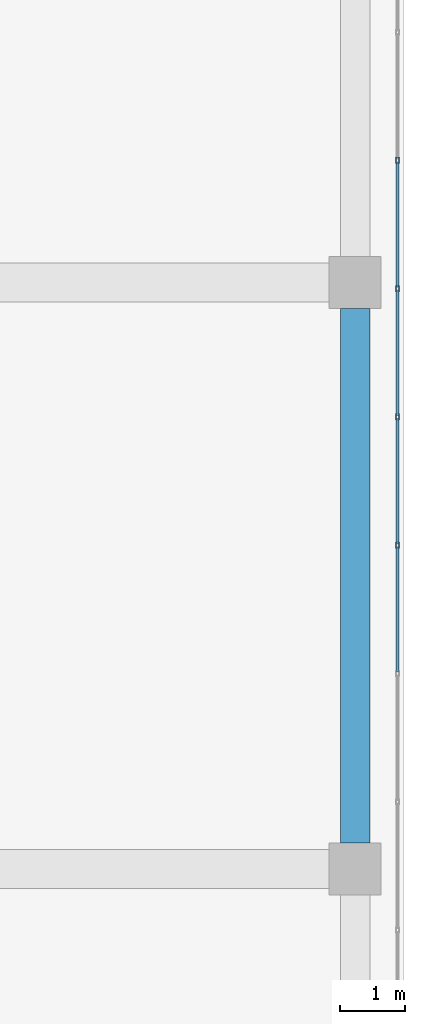
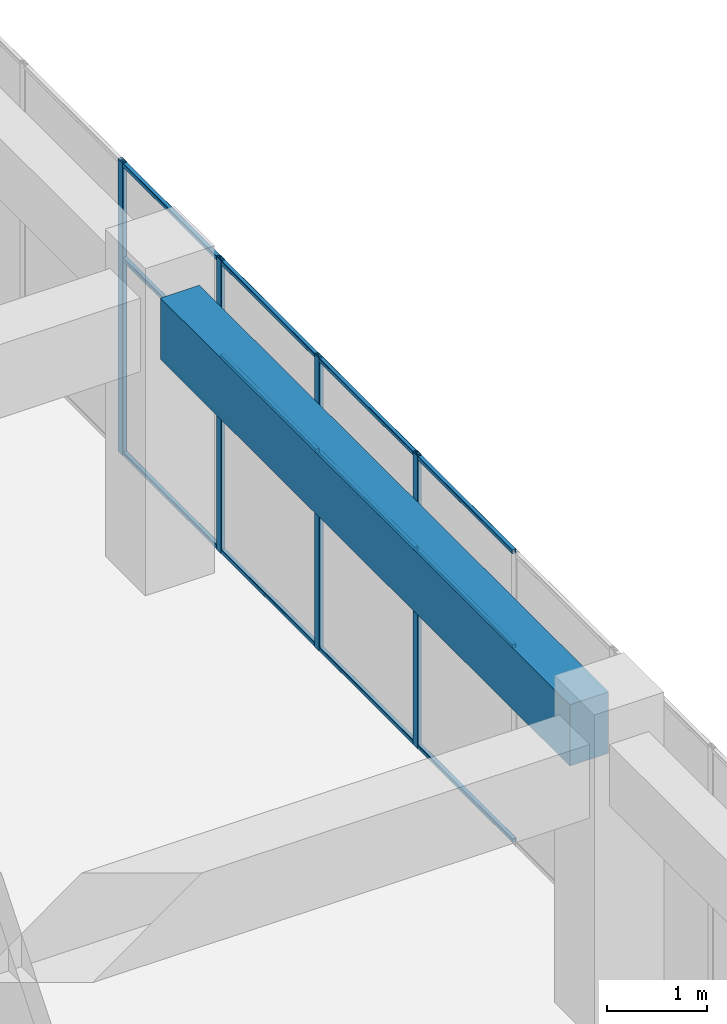
# One storey, part 29 of 52: 16 members, 1 beam, 1 element without a shape of its own.
"""IFC4 building model written with IfcOpenShell, lengths in metres."""

from ifc_helpers import new_model, si_unit, direction, frame, origin, origin_2d, place, context, subcontext, project, spatial, rectangle, hollow_rectangle, extrude, material, layer, layer_set, material_profile, profile_set, type_object, element, aggregate, save


model = new_model("IFC4")

# Units and contexts
model_context = context("Model", 3, precision=1e-05, world=origin(), true_north=direction((0.0, 1.0)))
body_context = subcontext(model_context, "Body", "Model", "MODEL_VIEW")
ifc_project = project(units=[si_unit("LENGTHUNIT", "METRE"), si_unit("AREAUNIT", "SQUARE_METRE"), si_unit("VOLUMEUNIT", "CUBIC_METRE"), si_unit("PLANEANGLEUNIT", "RADIAN"), si_unit("MASSUNIT", "GRAM", prefix="KILO")], contexts=[model_context])

# Site, building, storey
site_placement = place(None, origin())
site = spatial("IfcSite", under=ifc_project, at=site_placement, CompositionType="ELEMENT")
building_placement = place(site_placement, origin())
building = spatial("IfcBuilding", under=site, at=building_placement, Name="Tuart Plaza Theatre", CompositionType="ELEMENT")
storey_placement = place(building_placement, frame((0.0, 0.0, 25.5)))
storey = spatial("IfcBuildingStorey", under=building, at=storey_placement, Name="L06", CompositionType="ELEMENT", Elevation=25.5)

# Beam
ifc_material_1 = material(Name="Concrete N40 (40 MPa)", Category="concrete")
ifc_material_profile_1 = material_profile(ifc_material_1, rectangle(XDim=0.449951171875, YDim=0.75, at=origin_2d()), Name="BEAM 450x750 Concrete N40 (40 MPa)")
ifc_profile_set_1 = profile_set([ifc_material_profile_1], Name="Concrete N40 (40 MPa)")
beam_type = type_object("IfcBeamType", Name="BEAM 450x750 Concrete N40 (40 MPa)", PredefinedType="BEAM", material=ifc_profile_set_1)
beam_placement = place(storey_placement, frame((150.0, 65.39990234375, 3.205078125), z_axis=(0.0, 1.0, 0.0), x_axis=(-1.0, 0.0, 0.0)))
element("IfcBeam", 1, at=beam_placement, inside=storey, type_object=beam_type, Name="RB239", PredefinedType="BEAM", context=body_context, shape_type="SweptSolid", body=[
    extrude(rectangle(XDim=0.449951171875, YDim=0.75, at=origin_2d()), origin(), (0.0, 0.0, 1.0), 8.2001953125),
])

# Curtain wall, members
ifc_material_2 = material(Name="Aluminium and glass", Category="aluminium")
ifc_layer = layer(ifc_material_2, 0.10009765625)
ifc_layer_set = layer_set([ifc_layer], Name="CURTAIN WALL 2000 module")
curtain_wall_type = type_object("IfcCurtainWallType", Name="CURTAIN WALL 2000 module", PredefinedType="NOTDEFINED", material=ifc_layer_set)
curtain_wall_placement = place(storey_placement, origin())
curtain_wall = element("IfcCurtainWall", 2, at=curtain_wall_placement, inside=storey, type_object=curtain_wall_type, Name="CW78", PredefinedType="NOTDEFINED")
ifc_material_3 = material(Name="Aluminium 6063-T5", Category="aluminium")
ifc_material_profile_2 = material_profile(ifc_material_3, hollow_rectangle(XDim=0.050048828125, YDim=0.10009765625, WallThickness=0.00390625, InnerFilletRadius=0.00390625, OuterFilletRadius=0.008056640625, at=origin_2d()), Name="RHS 100x50x4")
ifc_profile_set_2 = profile_set([ifc_material_profile_2], Name="Aluminium 6063-T5")
member_type_1 = type_object("IfcMemberType", Name="MULLION RHS 100x50x4", PredefinedType="MULLION", material=ifc_profile_set_2)
member_1_placement = place(storey_placement, frame((150.64990234375, 69.96875, 0.0), z_axis=(0.0, 0.0, 1.0), x_axis=(-1.0, 0.0, 0.0)))
member_1 = element("IfcMember", 3, at=member_1_placement, type_object=member_type_1, Name="CW78 mullion 10", PredefinedType="MULLION", context=body_context, shape_type="SweptSolid", body=[
    extrude(hollow_rectangle(XDim=0.050048828125, YDim=0.10009765625, WallThickness=0.00390625, InnerFilletRadius=0.00390625, OuterFilletRadius=0.008056640625, at=origin_2d()), origin(), (0.0, 0.0, 1.0), 3.580078125),
])
member_2_placement = place(storey_placement, frame((150.64990234375, 71.9375, 0.0), z_axis=(0.0, 0.0, 1.0), x_axis=(-1.0, 0.0, 0.0)))
member_2 = element("IfcMember", 4, at=member_2_placement, type_object=member_type_1, Name="CW78 mullion 11", PredefinedType="MULLION", context=body_context, shape_type="SweptSolid", body=[
    extrude(hollow_rectangle(XDim=0.050048828125, YDim=0.10009765625, WallThickness=0.00390625, InnerFilletRadius=0.00390625, OuterFilletRadius=0.008056640625, at=origin_2d()), origin(), (0.0, 0.0, 1.0), 3.580078125),
])
member_3_placement = place(storey_placement, frame((150.64990234375, 73.90625, 0.0), z_axis=(0.0, 0.0, 1.0), x_axis=(-1.0, 0.0, 0.0)))
member_3 = element("IfcMember", 5, at=member_3_placement, type_object=member_type_1, Name="CW78 mullion 12", PredefinedType="MULLION", context=body_context, shape_type="SweptSolid", body=[
    extrude(hollow_rectangle(XDim=0.050048828125, YDim=0.10009765625, WallThickness=0.00390625, InnerFilletRadius=0.00390625, OuterFilletRadius=0.008056640625, at=origin_2d()), origin(), (0.0, 0.0, 1.0), 3.580078125),
])
member_4_placement = place(storey_placement, frame((150.64990234375, 75.875, 0.0), z_axis=(0.0, 0.0, 1.0), x_axis=(-1.0, 0.0, 0.0)))
member_4 = element("IfcMember", 6, at=member_4_placement, type_object=member_type_1, Name="CW78 mullion 13", PredefinedType="MULLION", context=body_context, shape_type="SweptSolid", body=[
    extrude(hollow_rectangle(XDim=0.050048828125, YDim=0.10009765625, WallThickness=0.00390625, InnerFilletRadius=0.00390625, OuterFilletRadius=0.008056640625, at=origin_2d()), origin(), (0.0, 0.0, 1.0), 3.580078125),
])
ifc_material_4 = material(Name="Aluminium 6063-T5", Category="aluminium")
ifc_material_profile_3 = material_profile(ifc_material_4, hollow_rectangle(XDim=0.050048828125, YDim=0.050048828125, WallThickness=0.00390625, InnerFilletRadius=0.00390625, OuterFilletRadius=0.008056640625, at=origin_2d()), Name="RHS 50x50x4")
ifc_profile_set_3 = profile_set([ifc_material_profile_3], Name="Aluminium 6063-T5")
member_type_2 = type_object("IfcMemberType", Name="TRANSOM RHS 50x50x4", PredefinedType="USERDEFINED", material=ifc_profile_set_3)
member_5_placement = place(storey_placement, frame((150.64990234375, 68.02490234375, 0.02490234375), z_axis=(0.0, 1.0, 0.0), x_axis=(-1.0, 0.0, 0.0)))
member_5 = element("IfcMember", 7, at=member_5_placement, type_object=member_type_2, Name="CW78 transom 9.1", ObjectType="TRANSOM", PredefinedType="USERDEFINED", context=body_context, shape_type="SweptSolid", body=[
    extrude(hollow_rectangle(XDim=0.050048828125, YDim=0.050048828125, WallThickness=0.00390625, InnerFilletRadius=0.00390625, OuterFilletRadius=0.008056640625, at=origin_2d()), origin(), (0.0, 0.0, 1.0), 1.9189453125),
])
member_6_placement = place(storey_placement, frame((150.64990234375, 68.02490234375, 2.39990234375), z_axis=(0.0, 1.0, 0.0), x_axis=(-1.0, 0.0, 0.0)))
member_6 = element("IfcMember", 8, at=member_6_placement, type_object=member_type_2, Name="CW78 transom 9.2", ObjectType="TRANSOM", PredefinedType="USERDEFINED", context=body_context, shape_type="SweptSolid", body=[
    extrude(hollow_rectangle(XDim=0.050048828125, YDim=0.050048828125, WallThickness=0.00390625, InnerFilletRadius=0.00390625, OuterFilletRadius=0.008056640625, at=origin_2d()), origin(), (0.0, 0.0, 1.0), 1.9189453125),
])
member_7_placement = place(storey_placement, frame((150.64990234375, 68.02490234375, 3.554931640625), z_axis=(0.0, 1.0, 0.0), x_axis=(-1.0, 0.0, 0.0)))
member_7 = element("IfcMember", 9, at=member_7_placement, type_object=member_type_2, Name="CW78 transom 9.3", ObjectType="TRANSOM", PredefinedType="USERDEFINED", context=body_context, shape_type="SweptSolid", body=[
    extrude(hollow_rectangle(XDim=0.050048828125, YDim=0.050048828125, WallThickness=0.00390625, InnerFilletRadius=0.00390625, OuterFilletRadius=0.008056640625, at=origin_2d()), origin(), (0.0, 0.0, 1.0), 1.9189453125),
])
member_8_placement = place(storey_placement, frame((150.64990234375, 69.99365234375, 0.02490234375), z_axis=(0.0, 1.0, 0.0), x_axis=(-1.0, 0.0, 0.0)))
member_8 = element("IfcMember", 10, at=member_8_placement, type_object=member_type_2, Name="CW78 transom 10.1", ObjectType="TRANSOM", PredefinedType="USERDEFINED", context=body_context, shape_type="SweptSolid", body=[
    extrude(hollow_rectangle(XDim=0.050048828125, YDim=0.050048828125, WallThickness=0.00390625, InnerFilletRadius=0.00390625, OuterFilletRadius=0.008056640625, at=origin_2d()), origin(), (0.0, 0.0, 1.0), 1.9189453125),
])
member_9_placement = place(storey_placement, frame((150.64990234375, 69.99365234375, 2.39990234375), z_axis=(0.0, 1.0, 0.0), x_axis=(-1.0, 0.0, 0.0)))
member_9 = element("IfcMember", 11, at=member_9_placement, type_object=member_type_2, Name="CW78 transom 10.2", ObjectType="TRANSOM", PredefinedType="USERDEFINED", context=body_context, shape_type="SweptSolid", body=[
    extrude(hollow_rectangle(XDim=0.050048828125, YDim=0.050048828125, WallThickness=0.00390625, InnerFilletRadius=0.00390625, OuterFilletRadius=0.008056640625, at=origin_2d()), origin(), (0.0, 0.0, 1.0), 1.9189453125),
])
member_10_placement = place(storey_placement, frame((150.64990234375, 69.99365234375, 3.554931640625), z_axis=(0.0, 1.0, 0.0), x_axis=(-1.0, 0.0, 0.0)))
member_10 = element("IfcMember", 12, at=member_10_placement, type_object=member_type_2, Name="CW78 transom 10.3", ObjectType="TRANSOM", PredefinedType="USERDEFINED", context=body_context, shape_type="SweptSolid", body=[
    extrude(hollow_rectangle(XDim=0.050048828125, YDim=0.050048828125, WallThickness=0.00390625, InnerFilletRadius=0.00390625, OuterFilletRadius=0.008056640625, at=origin_2d()), origin(), (0.0, 0.0, 1.0), 1.9189453125),
])
member_11_placement = place(storey_placement, frame((150.64990234375, 71.96240234375, 0.02490234375), z_axis=(0.0, 1.0, 0.0), x_axis=(-1.0, 0.0, 0.0)))
member_11 = element("IfcMember", 13, at=member_11_placement, type_object=member_type_2, Name="CW78 transom 11.1", ObjectType="TRANSOM", PredefinedType="USERDEFINED", context=body_context, shape_type="SweptSolid", body=[
    extrude(hollow_rectangle(XDim=0.050048828125, YDim=0.050048828125, WallThickness=0.00390625, InnerFilletRadius=0.00390625, OuterFilletRadius=0.008056640625, at=origin_2d()), origin(), (0.0, 0.0, 1.0), 1.9189453125),
])
member_12_placement = place(storey_placement, frame((150.64990234375, 71.96240234375, 2.39990234375), z_axis=(0.0, 1.0, 0.0), x_axis=(-1.0, 0.0, 0.0)))
member_12 = element("IfcMember", 14, at=member_12_placement, type_object=member_type_2, Name="CW78 transom 11.2", ObjectType="TRANSOM", PredefinedType="USERDEFINED", context=body_context, shape_type="SweptSolid", body=[
    extrude(hollow_rectangle(XDim=0.050048828125, YDim=0.050048828125, WallThickness=0.00390625, InnerFilletRadius=0.00390625, OuterFilletRadius=0.008056640625, at=origin_2d()), origin(), (0.0, 0.0, 1.0), 1.9189453125),
])
member_13_placement = place(storey_placement, frame((150.64990234375, 71.96240234375, 3.554931640625), z_axis=(0.0, 1.0, 0.0), x_axis=(-1.0, 0.0, 0.0)))
member_13 = element("IfcMember", 15, at=member_13_placement, type_object=member_type_2, Name="CW78 transom 11.3", ObjectType="TRANSOM", PredefinedType="USERDEFINED", context=body_context, shape_type="SweptSolid", body=[
    extrude(hollow_rectangle(XDim=0.050048828125, YDim=0.050048828125, WallThickness=0.00390625, InnerFilletRadius=0.00390625, OuterFilletRadius=0.008056640625, at=origin_2d()), origin(), (0.0, 0.0, 1.0), 1.9189453125),
])
member_14_placement = place(storey_placement, frame((150.64990234375, 73.93115234375, 0.02490234375), z_axis=(0.0, 1.0, 0.0), x_axis=(-1.0, 0.0, 0.0)))
member_14 = element("IfcMember", 16, at=member_14_placement, type_object=member_type_2, Name="CW78 transom 12.1", ObjectType="TRANSOM", PredefinedType="USERDEFINED", context=body_context, shape_type="SweptSolid", body=[
    extrude(hollow_rectangle(XDim=0.050048828125, YDim=0.050048828125, WallThickness=0.00390625, InnerFilletRadius=0.00390625, OuterFilletRadius=0.008056640625, at=origin_2d()), origin(), (0.0, 0.0, 1.0), 1.9189453125),
])
member_15_placement = place(storey_placement, frame((150.64990234375, 73.93115234375, 2.39990234375), z_axis=(0.0, 1.0, 0.0), x_axis=(-1.0, 0.0, 0.0)))
member_15 = element("IfcMember", 17, at=member_15_placement, type_object=member_type_2, Name="CW78 transom 12.2", ObjectType="TRANSOM", PredefinedType="USERDEFINED", context=body_context, shape_type="SweptSolid", body=[
    extrude(hollow_rectangle(XDim=0.050048828125, YDim=0.050048828125, WallThickness=0.00390625, InnerFilletRadius=0.00390625, OuterFilletRadius=0.008056640625, at=origin_2d()), origin(), (0.0, 0.0, 1.0), 1.9189453125),
])
member_16_placement = place(storey_placement, frame((150.64990234375, 73.93115234375, 3.554931640625), z_axis=(0.0, 1.0, 0.0), x_axis=(-1.0, 0.0, 0.0)))
member_16 = element("IfcMember", 18, at=member_16_placement, type_object=member_type_2, Name="CW78 transom 12.3", ObjectType="TRANSOM", PredefinedType="USERDEFINED", context=body_context, shape_type="SweptSolid", body=[
    extrude(hollow_rectangle(XDim=0.050048828125, YDim=0.050048828125, WallThickness=0.00390625, InnerFilletRadius=0.00390625, OuterFilletRadius=0.008056640625, at=origin_2d()), origin(), (0.0, 0.0, 1.0), 1.9189453125),
])
aggregate(curtain_wall, [member_1, member_2, member_3, member_4, member_5, member_6, member_7, member_8, member_9, member_10, member_11, member_12, member_13, member_14, member_15, member_16])

save(model, "model.ifc")
